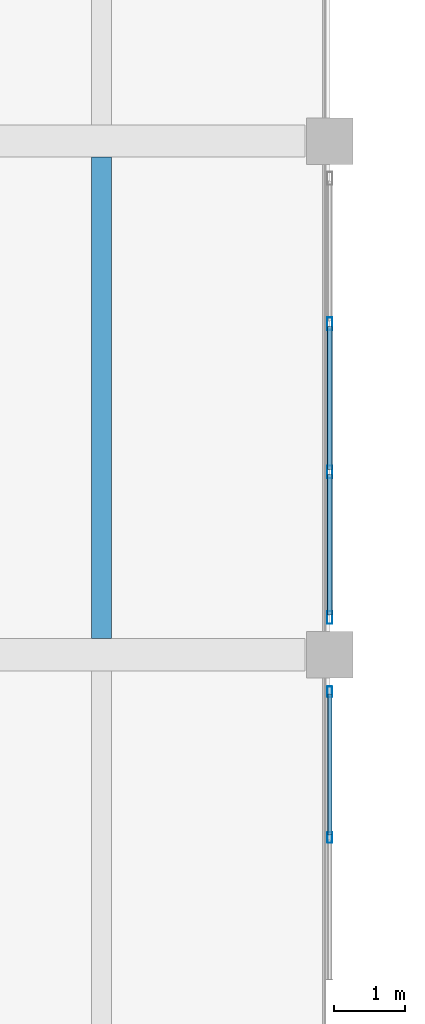
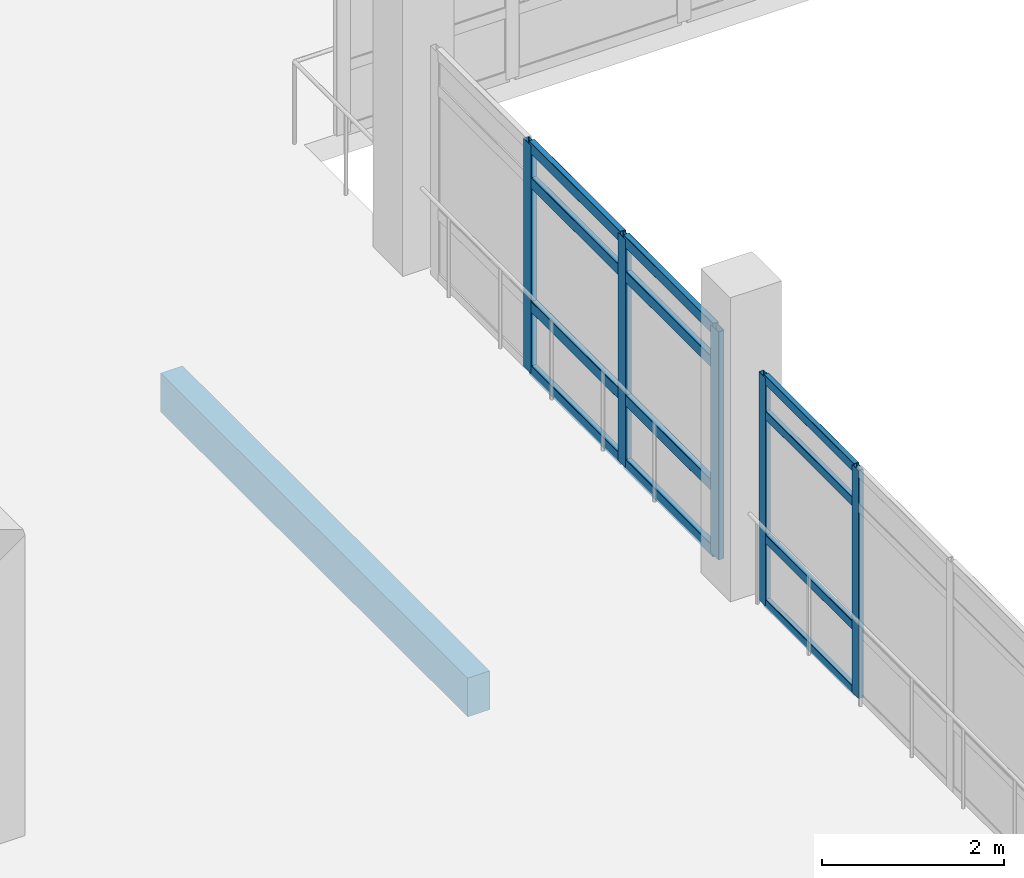
# One storey, part 20 of 134: 17 members, 1 beam, 2 elements without a shape of their own.
"""IFC4 building model written with IfcOpenShell, lengths in metres."""

from ifc_helpers import new_model, si_unit, direction, frame, origin, origin_2d, place, context, subcontext, project, spatial, rectangle, hollow_rectangle, extrude, material, layer, layer_set, material_profile, profile_set, type_object, element, aggregate, save


model = new_model("IFC4")

# Units and contexts
model_context = context("Model", 3, precision=1e-05, world=origin(), true_north=direction((0.0, 1.0)))
body_context = subcontext(model_context, "Body", "Model", "MODEL_VIEW")
ifc_project = project(units=[si_unit("LENGTHUNIT", "METRE"), si_unit("AREAUNIT", "SQUARE_METRE"), si_unit("VOLUMEUNIT", "CUBIC_METRE"), si_unit("PLANEANGLEUNIT", "RADIAN"), si_unit("MASSUNIT", "GRAM", prefix="KILO")], contexts=[model_context])

# Site, building, storey
site_placement = place(None, origin())
site = spatial("IfcSite", under=ifc_project, at=site_placement, CompositionType="ELEMENT")
building_placement = place(site_placement, origin())
building = spatial("IfcBuilding", under=site, at=building_placement, Name="Asteropetra Specialist Clinic", CompositionType="ELEMENT")
storey_placement = place(building_placement, frame((0.0, 0.0, 8.5)))
storey = spatial("IfcBuildingStorey", under=building, at=storey_placement, Name="L02", CompositionType="ELEMENT", Elevation=8.5)

# Curtain wall, members
ifc_material_1 = material(Name="Aluminium and low-E glass", Category="aluminium")
ifc_layer_1 = layer(ifc_material_1, 0.179931640625)
ifc_layer_set_1 = layer_set([ifc_layer_1], Name="Aluminium and low-E glass")
curtain_wall_type_1 = type_object("IfcCurtainWallType", Name="CW-SYS-10", PredefinedType="USERDEFINED", material=ifc_layer_set_1)
curtain_wall_1_placement = place(storey_placement, origin())
curtain_wall_1 = element("IfcCurtainWall", 1, at=curtain_wall_1_placement, inside=storey, type_object=curtain_wall_type_1, Name="Curtain Wall CW-079", ObjectType="STICK GLAZED COLONNADE", PredefinedType="USERDEFINED")
ifc_material_2 = material(Name="Aluminium 6063-T6", Category="aluminium")
ifc_material_profile_1 = material_profile(ifc_material_2, hollow_rectangle(XDim=0.06494140625, YDim=0.14990234375, WallThickness=0.00390625, InnerFilletRadius=0.00390625, OuterFilletRadius=0.008056640625, at=origin_2d()), Name="MUL 150x65x4.0")
ifc_profile_set_1 = profile_set([ifc_material_profile_1], Name="Aluminium 6063-T6")
member_type_1 = type_object("IfcMemberType", Name="CWM-150x65", PredefinedType="MULLION", material=ifc_profile_set_1)
member_1_placement = place(storey_placement, frame((124.800048828125, 25.882568359375, 0.0), z_axis=(0.0, 0.0, 1.0), x_axis=(1.0, 0.0, 0.0)))
member_1 = element("IfcMember", 2, at=member_1_placement, type_object=member_type_1, Name="CW-079 mullion 1", PredefinedType="MULLION", context=body_context, shape_type="SweptSolid", body=[
    extrude(hollow_rectangle(XDim=0.06494140625, YDim=0.14990234375, WallThickness=0.00390625, InnerFilletRadius=0.00390625, OuterFilletRadius=0.008056640625, at=origin_2d()), origin(), (0.0, 0.0, 1.0), 3.06005859375),
])
member_2_placement = place(storey_placement, frame((124.800048828125, 23.83837890625, 0.0), z_axis=(0.0, 0.0, 1.0), x_axis=(1.0, 0.0, 0.0)))
member_2 = element("IfcMember", 3, at=member_2_placement, type_object=member_type_1, Name="CW-079 mullion 2", PredefinedType="MULLION", context=body_context, shape_type="SweptSolid", body=[
    extrude(hollow_rectangle(XDim=0.06494140625, YDim=0.14990234375, WallThickness=0.00390625, InnerFilletRadius=0.00390625, OuterFilletRadius=0.008056640625, at=origin_2d()), origin(), (0.0, 0.0, 1.0), 3.06005859375),
])

ifc_material_3 = material(Name="Aluminium and low-E glass", Category="aluminium")
ifc_layer_2 = layer(ifc_material_3, 0.14990234375)
ifc_layer_set_2 = layer_set([ifc_layer_2], Name="Aluminium and low-E glass")
curtain_wall_type_2 = type_object("IfcCurtainWallType", Name="CW-SYS-11", PredefinedType="USERDEFINED", material=ifc_layer_set_2)
curtain_wall_2_placement = place(storey_placement, origin())
curtain_wall_2 = element("IfcCurtainWall", 4, at=curtain_wall_2_placement, inside=storey, type_object=curtain_wall_type_2, Name="Curtain Wall CW-081", ObjectType="STICK GLAZED COLONNADE", PredefinedType="USERDEFINED")
ifc_material_4 = material(Name="Aluminium 6063-T6", Category="aluminium")
ifc_material_profile_2 = material_profile(ifc_material_4, hollow_rectangle(XDim=0.074951171875, YDim=0.179931640625, WallThickness=0.00390625, InnerFilletRadius=0.00390625, OuterFilletRadius=0.008056640625, at=origin_2d()), Name="MUL 180x75x4.0")
ifc_profile_set_2 = profile_set([ifc_material_profile_2], Name="Aluminium 6063-T6")
member_type_2 = type_object("IfcMemberType", Name="CWM-180x75", PredefinedType="MULLION", material=ifc_profile_set_2)
member_3_placement = place(storey_placement, frame((124.800048828125, 31.038330078125, 0.0), z_axis=(0.0, 0.0, 1.0), x_axis=(1.0, 0.0, 0.0)))
member_3 = element("IfcMember", 5, at=member_3_placement, type_object=member_type_2, Name="CW-081 mullion 2", PredefinedType="MULLION", context=body_context, shape_type="SweptSolid", body=[
    extrude(hollow_rectangle(XDim=0.074951171875, YDim=0.179931640625, WallThickness=0.00390625, InnerFilletRadius=0.00390625, OuterFilletRadius=0.008056640625, at=origin_2d()), origin(), (0.0, 0.0, 1.0), 3.06005859375),
])
member_4_placement = place(storey_placement, frame((124.800048828125, 28.961669921875, 0.0), z_axis=(0.0, 0.0, 1.0), x_axis=(1.0, 0.0, 0.0)))
member_4 = element("IfcMember", 6, at=member_4_placement, type_object=member_type_2, Name="CW-081 mullion 3", PredefinedType="MULLION", context=body_context, shape_type="SweptSolid", body=[
    extrude(hollow_rectangle(XDim=0.074951171875, YDim=0.179931640625, WallThickness=0.00390625, InnerFilletRadius=0.00390625, OuterFilletRadius=0.008056640625, at=origin_2d()), origin(), (0.0, 0.0, 1.0), 3.06005859375),
])
member_5_placement = place(storey_placement, frame((124.800048828125, 26.922607421875, 0.0), z_axis=(0.0, 0.0, 1.0), x_axis=(1.0, 0.0, 0.0)))
member_5 = element("IfcMember", 7, at=member_5_placement, type_object=member_type_2, Name="CW-081 mullion 4", PredefinedType="MULLION", context=body_context, shape_type="SweptSolid", body=[
    extrude(hollow_rectangle(XDim=0.074951171875, YDim=0.179931640625, WallThickness=0.00390625, InnerFilletRadius=0.00390625, OuterFilletRadius=0.008056640625, at=origin_2d()), origin(), (0.0, 0.0, 1.0), 3.06005859375),
])

# Member
ifc_material_5 = material(Name="Aluminium 6063-T6", Category="aluminium")
ifc_material_profile_3 = material_profile(ifc_material_5, hollow_rectangle(XDim=0.06494140625, YDim=0.1201171875, WallThickness=0.00390625, InnerFilletRadius=0.00390625, OuterFilletRadius=0.008056640625, at=origin_2d()), Name="TRN 120x65x4.0")
ifc_profile_set_3 = profile_set([ifc_material_profile_3], Name="Aluminium 6063-T6")
member_type_3 = type_object("IfcMemberType", Name="CWT-120x65", PredefinedType="USERDEFINED", material=ifc_profile_set_3)
member_6_placement = place(storey_placement, frame((124.800048828125, 25.85009765625, 0.032470703125), z_axis=(0.0, -1.0, 0.0), x_axis=(1.0, 0.0, 0.0)))
member_6 = element("IfcMember", 8, at=member_6_placement, type_object=member_type_3, Name="CW-079 transom 1.1", ObjectType="TRANSOM", PredefinedType="USERDEFINED", context=body_context, shape_type="SweptSolid", body=[
    extrude(hollow_rectangle(XDim=0.06494140625, YDim=0.1201171875, WallThickness=0.00390625, InnerFilletRadius=0.00390625, OuterFilletRadius=0.008056640625, at=origin_2d()), origin(), (0.0, 0.0, 1.0), 1.979248046875),
])

member_7_placement = place(storey_placement, frame((124.800048828125, 25.85009765625, 0.89990234375), z_axis=(0.0, -1.0, 0.0), x_axis=(1.0, 0.0, 0.0)))
member_7 = element("IfcMember", 9, at=member_7_placement, type_object=member_type_3, Name="CW-079 transom 1.2", ObjectType="TRANSOM", PredefinedType="USERDEFINED", context=body_context, shape_type="SweptSolid", body=[
    extrude(hollow_rectangle(XDim=0.06494140625, YDim=0.1201171875, WallThickness=0.00390625, InnerFilletRadius=0.00390625, OuterFilletRadius=0.008056640625, at=origin_2d()), origin(), (0.0, 0.0, 1.0), 1.979248046875),
])

member_8_placement = place(storey_placement, frame((124.800048828125, 25.85009765625, 2.56005859375), z_axis=(0.0, -1.0, 0.0), x_axis=(1.0, 0.0, 0.0)))
member_8 = element("IfcMember", 10, at=member_8_placement, type_object=member_type_3, Name="CW-079 transom 1.3", ObjectType="TRANSOM", PredefinedType="USERDEFINED", context=body_context, shape_type="SweptSolid", body=[
    extrude(hollow_rectangle(XDim=0.06494140625, YDim=0.1201171875, WallThickness=0.00390625, InnerFilletRadius=0.00390625, OuterFilletRadius=0.008056640625, at=origin_2d()), origin(), (0.0, 0.0, 1.0), 1.979248046875),
])

member_9_placement = place(storey_placement, frame((124.800048828125, 25.85009765625, 3.027587890625), z_axis=(0.0, -1.0, 0.0), x_axis=(1.0, 0.0, 0.0)))
member_9 = element("IfcMember", 11, at=member_9_placement, type_object=member_type_3, Name="CW-079 transom 1.4", ObjectType="TRANSOM", PredefinedType="USERDEFINED", context=body_context, shape_type="SweptSolid", body=[
    extrude(hollow_rectangle(XDim=0.06494140625, YDim=0.1201171875, WallThickness=0.00390625, InnerFilletRadius=0.00390625, OuterFilletRadius=0.008056640625, at=origin_2d()), origin(), (0.0, 0.0, 1.0), 1.979248046875),
])

aggregate(curtain_wall_1, [member_1, member_2, member_6, member_7, member_8, member_9])

ifc_material_6 = material(Name="Aluminium 6063-T6", Category="aluminium")
ifc_material_profile_4 = material_profile(ifc_material_6, hollow_rectangle(XDim=0.074951171875, YDim=0.14990234375, WallThickness=0.00390625, InnerFilletRadius=0.00390625, OuterFilletRadius=0.008056640625, at=origin_2d()), Name="TRN 150x75x4.0")
ifc_profile_set_4 = profile_set([ifc_material_profile_4], Name="Aluminium 6063-T6")
member_type_4 = type_object("IfcMemberType", Name="CWT-150x75", PredefinedType="USERDEFINED", material=ifc_profile_set_4)
member_10_placement = place(storey_placement, frame((124.800048828125, 31.000732421875, 0.03759765625), z_axis=(0.0, -1.0, 0.0), x_axis=(1.0, 0.0, 0.0)))
member_10 = element("IfcMember", 12, at=member_10_placement, type_object=member_type_4, Name="CW-081 transom 2.1", ObjectType="TRANSOM", PredefinedType="USERDEFINED", context=body_context, shape_type="SweptSolid", body=[
    extrude(hollow_rectangle(XDim=0.074951171875, YDim=0.14990234375, WallThickness=0.00390625, InnerFilletRadius=0.00390625, OuterFilletRadius=0.008056640625, at=origin_2d()), origin(), (0.0, 0.0, 1.0), 2.00146484375),
])

member_11_placement = place(storey_placement, frame((124.800048828125, 31.000732421875, 0.89990234375), z_axis=(0.0, -1.0, 0.0), x_axis=(1.0, 0.0, 0.0)))
member_11 = element("IfcMember", 13, at=member_11_placement, type_object=member_type_4, Name="CW-081 transom 2.2", ObjectType="TRANSOM", PredefinedType="USERDEFINED", context=body_context, shape_type="SweptSolid", body=[
    extrude(hollow_rectangle(XDim=0.074951171875, YDim=0.14990234375, WallThickness=0.00390625, InnerFilletRadius=0.00390625, OuterFilletRadius=0.008056640625, at=origin_2d()), origin(), (0.0, 0.0, 1.0), 2.00146484375),
])

member_12_placement = place(storey_placement, frame((124.800048828125, 31.000732421875, 2.56005859375), z_axis=(0.0, -1.0, 0.0), x_axis=(1.0, 0.0, 0.0)))
member_12 = element("IfcMember", 14, at=member_12_placement, type_object=member_type_4, Name="CW-081 transom 2.3", ObjectType="TRANSOM", PredefinedType="USERDEFINED", context=body_context, shape_type="SweptSolid", body=[
    extrude(hollow_rectangle(XDim=0.074951171875, YDim=0.14990234375, WallThickness=0.00390625, InnerFilletRadius=0.00390625, OuterFilletRadius=0.008056640625, at=origin_2d()), origin(), (0.0, 0.0, 1.0), 2.00146484375),
])

member_13_placement = place(storey_placement, frame((124.800048828125, 31.000732421875, 3.0224609375), z_axis=(0.0, -1.0, 0.0), x_axis=(1.0, 0.0, 0.0)))
member_13 = element("IfcMember", 15, at=member_13_placement, type_object=member_type_4, Name="CW-081 transom 2.4", ObjectType="TRANSOM", PredefinedType="USERDEFINED", context=body_context, shape_type="SweptSolid", body=[
    extrude(hollow_rectangle(XDim=0.074951171875, YDim=0.14990234375, WallThickness=0.00390625, InnerFilletRadius=0.00390625, OuterFilletRadius=0.008056640625, at=origin_2d()), origin(), (0.0, 0.0, 1.0), 2.00146484375),
])

member_14_placement = place(storey_placement, frame((124.800048828125, 28.924072265625, 0.03759765625), z_axis=(0.0, -1.0, 0.0), x_axis=(1.0, 0.0, 0.0)))
member_14 = element("IfcMember", 16, at=member_14_placement, type_object=member_type_4, Name="CW-081 transom 3.1", ObjectType="TRANSOM", PredefinedType="USERDEFINED", context=body_context, shape_type="SweptSolid", body=[
    extrude(hollow_rectangle(XDim=0.074951171875, YDim=0.14990234375, WallThickness=0.00390625, InnerFilletRadius=0.00390625, OuterFilletRadius=0.008056640625, at=origin_2d()), origin(), (0.0, 0.0, 1.0), 1.964111328125),
])

member_15_placement = place(storey_placement, frame((124.800048828125, 28.924072265625, 0.89990234375), z_axis=(0.0, -1.0, 0.0), x_axis=(1.0, 0.0, 0.0)))
member_15 = element("IfcMember", 17, at=member_15_placement, type_object=member_type_4, Name="CW-081 transom 3.2", ObjectType="TRANSOM", PredefinedType="USERDEFINED", context=body_context, shape_type="SweptSolid", body=[
    extrude(hollow_rectangle(XDim=0.074951171875, YDim=0.14990234375, WallThickness=0.00390625, InnerFilletRadius=0.00390625, OuterFilletRadius=0.008056640625, at=origin_2d()), origin(), (0.0, 0.0, 1.0), 1.964111328125),
])

member_16_placement = place(storey_placement, frame((124.800048828125, 28.924072265625, 2.56005859375), z_axis=(0.0, -1.0, 0.0), x_axis=(1.0, 0.0, 0.0)))
member_16 = element("IfcMember", 18, at=member_16_placement, type_object=member_type_4, Name="CW-081 transom 3.3", ObjectType="TRANSOM", PredefinedType="USERDEFINED", context=body_context, shape_type="SweptSolid", body=[
    extrude(hollow_rectangle(XDim=0.074951171875, YDim=0.14990234375, WallThickness=0.00390625, InnerFilletRadius=0.00390625, OuterFilletRadius=0.008056640625, at=origin_2d()), origin(), (0.0, 0.0, 1.0), 1.964111328125),
])

member_17_placement = place(storey_placement, frame((124.800048828125, 28.924072265625, 3.0224609375), z_axis=(0.0, -1.0, 0.0), x_axis=(1.0, 0.0, 0.0)))
member_17 = element("IfcMember", 19, at=member_17_placement, type_object=member_type_4, Name="CW-081 transom 3.4", ObjectType="TRANSOM", PredefinedType="USERDEFINED", context=body_context, shape_type="SweptSolid", body=[
    extrude(hollow_rectangle(XDim=0.074951171875, YDim=0.14990234375, WallThickness=0.00390625, InnerFilletRadius=0.00390625, OuterFilletRadius=0.008056640625, at=origin_2d()), origin(), (0.0, 0.0, 1.0), 1.964111328125),
])

aggregate(curtain_wall_2, [member_3, member_4, member_5, member_10, member_11, member_12, member_13, member_14, member_15, member_16, member_17])

# Beam
ifc_material_7 = material(Name="Concrete C35/45", Category="concrete")
ifc_material_profile_5 = material_profile(ifc_material_7, rectangle(XDim=0.280029296875, YDim=0.52001953125, at=origin_2d()), Name="RCJ 280x520")
ifc_profile_set_5 = profile_set([ifc_material_profile_5], Name="Concrete C35/45")
beam_type = type_object("IfcBeamType", Name="JST-RC280x520", PredefinedType="JOIST", material=ifc_profile_set_5)
beam_placement = place(storey_placement, frame((121.60009765625, 26.625, -0.56005859375), z_axis=(0.0, 1.0, 0.0), x_axis=(-1.0, 0.0, 0.0)))
element("IfcBeam", 20, at=beam_placement, inside=storey, type_object=beam_type, Name="Joist JJST01-1212", PredefinedType="JOIST", context=body_context, shape_type="SweptSolid", body=[
    extrude(rectangle(XDim=0.280029296875, YDim=0.52001953125, at=origin_2d()), origin(), (0.0, 0.0, 1.0), 6.75),
])

save(model, "model.ifc")
